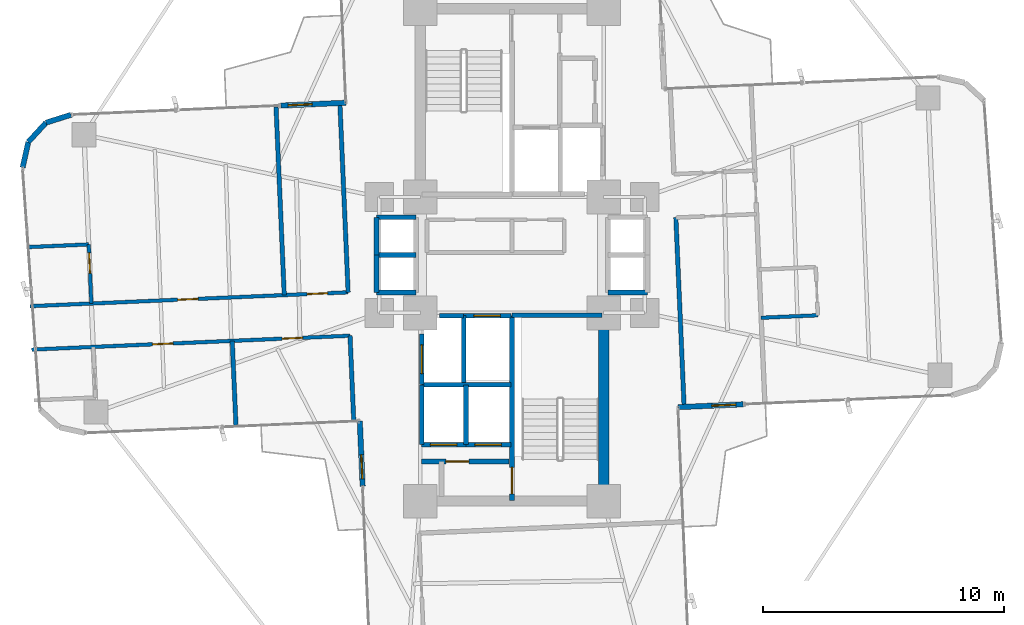
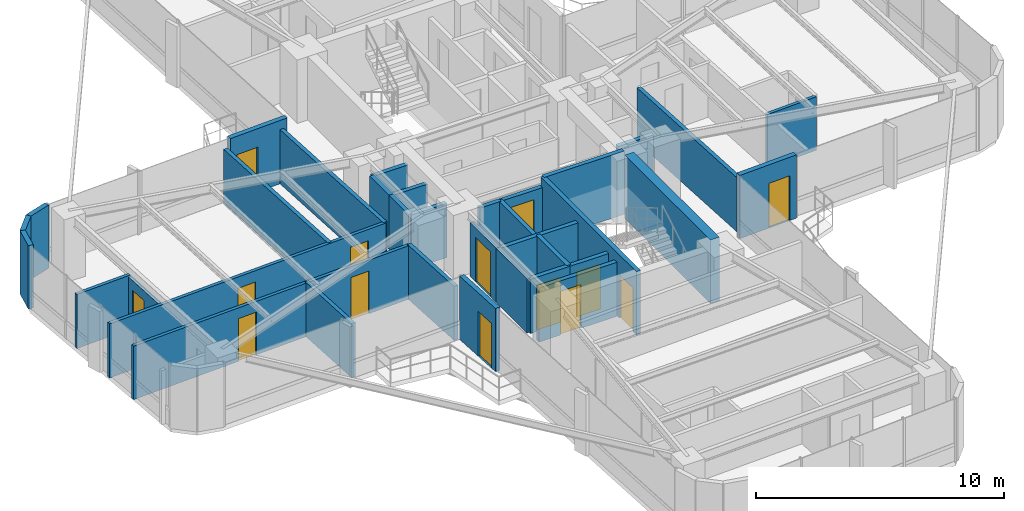
# One storey, part 23 of 26: 35 walls, 14 doors, 14 openings.
"""IFC4 building model written with IfcOpenShell, lengths in metres."""

from ifc_helpers import new_model, si_unit, direction, frame, frame_2d, origin, origin_2d, place, context, subcontext, project, spatial, rectangle, extrude, source, transform, mapped, material, layer, layer_set, type_object, element, fill, save


model = new_model("IFC4")

# Units and contexts
model_context = context("Model", 3, precision=1e-05, world=origin(), true_north=direction((0.0, 1.0)))
body_context = subcontext(model_context, "Body", "Model", "MODEL_VIEW")
ifc_project = project(units=[si_unit("LENGTHUNIT", "METRE"), si_unit("AREAUNIT", "SQUARE_METRE"), si_unit("VOLUMEUNIT", "CUBIC_METRE"), si_unit("PLANEANGLEUNIT", "RADIAN"), si_unit("MASSUNIT", "GRAM", prefix="KILO")], contexts=[model_context])

# Site, building, storey
site_placement = place(None, origin())
site = spatial("IfcSite", under=ifc_project, at=site_placement, CompositionType="ELEMENT")
building_placement = place(site_placement, origin())
building = spatial("IfcBuilding", under=site, at=building_placement, Name="Sahyath Konkavel Grand Hotel", CompositionType="ELEMENT")
storey_placement = place(building_placement, frame((0.0, 0.0, 86.85009765625)))
storey = spatial("IfcBuildingStorey", under=building, at=storey_placement, Name="L23", CompositionType="ELEMENT", Elevation=86.85009765625)

# Wall
ifc_material_1 = material(Name="Concrete C50/60", Category="concrete")
ifc_layer_1 = layer(ifc_material_1, 0.419921875)
ifc_layer_set_1 = layer_set([ifc_layer_1], Name="Concrete C50/60")
wall_type_1 = type_object("IfcWallType", Name="CWALL-420", PredefinedType="SHEAR", material=ifc_layer_set_1)
wall_1_placement = place(storey_placement, frame((3.800048828125, -9.75, 0.0), z_axis=(0.0, 0.0, 1.0), x_axis=(0.0, 1.0, 0.0)))
element("IfcWall", 1, at=wall_1_placement, inside=storey, type_object=wall_type_1, Name="L23 South Core Shear Wall E", PredefinedType="SHEAR", context=body_context, shape_type="SweptSolid", body=[
    extrude(rectangle(XDim=6.89990234375, YDim=0.419921875, at=frame_2d((3.449951171875, 0.0))), origin(), (0.0, 0.0, 1.0), 3.10986328125),
])

# Wall, opening, door
ifc_material_2 = material(Name="Warm Buff Sandstone Insulated Concrete C40/50", Category="masonry")
ifc_layer_2 = layer(ifc_material_2, 0.219970703125)
ifc_layer_set_2 = layer_set([ifc_layer_2], Name="Warm Buff Sandstone Insulated Concrete C40/50")
wall_type_2 = type_object("IfcWallType", Name="WLL-BALC-THRESH", PredefinedType="STANDARD", material=ifc_layer_set_2)
wall_2_placement = place(storey_placement, frame((6.881591796875, -6.305908203125, 0.0), z_axis=(0.0, 0.0, 1.0), x_axis=(0.999045894436, 0.043672655174, 0.0)))
wall_2 = element("IfcWall", 2, at=wall_2_placement, inside=storey, type_object=wall_type_2, Name="L23 Winter-Garden Threshold Wall 0", PredefinedType="STANDARD", context=body_context, shape_type="SweptSolid", body=[
    extrude(rectangle(XDim=2.7001953125, YDim=0.219970703125, at=frame_2d((1.35009765625, 0.0))), origin(), (0.0, 0.0, 1.0), 3.10986328125),
])
opening_1_placement = place(wall_2_placement, frame((1.39990234375, 0.0, 0.0)))
opening_1 = element("IfcOpeningElement", 3, at=opening_1_placement, cuts=wall_2, Name="Opening D-TR1", PredefinedType="OPENING", context=body_context, shape_type="SweptSolid", body=[
    extrude(rectangle(XDim=1.0, YDim=2.199951171875, at=frame_2d((0.5, 1.10009765625))), frame((0.0, 0.1201171875, 0.0), z_axis=(0.0, -1.0, 0.0), x_axis=(1.0, 0.0, 0.0)), (0.0, 0.0, 1.0), 0.239990234375),
])
ifc_material_3 = material(Name="Anodised Bronze Aluminium & Low-E Glazing", Category="aluminium")
door_type_1 = type_object("IfcDoorType", Name="DR-TERRACE-1000", OperationType="NOTDEFINED", PredefinedType="DOOR", material=ifc_material_3)
shared_shape_1 = source(origin(), body_context, "Body", "SweptSolid", [
    extrude(rectangle(XDim=1.0, YDim=0.050048828125, at=origin_2d()), origin(), (0.0, 0.0, 1.0), 2.199951171875),
])
door_1_placement = place(opening_1_placement, frame((0.5, 0.0, 0.0)))
door_1 = element("IfcDoor", 4, at=door_1_placement, inside=storey, type_object=door_type_1, Name="L23 Winter-Garden Terrace Door 0", OperationType="SINGLE_SWING_LEFT", OverallHeight=2.199951171875, OverallWidth=1.0, PredefinedType="DOOR", context=body_context, shape_type="MappedRepresentation", body=[
    mapped(shared_shape_1, transform((0.0, 0.0, 0.0), scale=1.0)),
])
fill(opening_1, door_1)

wall_3_placement = place(storey_placement, frame((-6.881591796875, 6.305908203125, 0.0), z_axis=(0.0, 0.0, 1.0), x_axis=(-0.999045894436, -0.043672655174, 0.0)))
wall_3 = element("IfcWall", 5, at=wall_3_placement, inside=storey, type_object=wall_type_2, Name="L23 Winter-Garden Threshold Wall 16", PredefinedType="STANDARD", context=body_context, shape_type="SweptSolid", body=[
    extrude(rectangle(XDim=2.7001953125, YDim=0.219970703125, at=frame_2d((1.35009765625, 0.0))), origin(), (0.0, 0.0, 1.0), 3.10986328125),
])
opening_2_placement = place(wall_3_placement, frame((1.39990234375, 0.0, 0.0)))
opening_2 = element("IfcOpeningElement", 6, at=opening_2_placement, cuts=wall_3, Name="Opening D-TR1", PredefinedType="OPENING", context=body_context, shape_type="SweptSolid", body=[
    extrude(rectangle(XDim=1.0, YDim=2.199951171875, at=frame_2d((0.5, 1.10009765625))), frame((0.0, 0.1201171875, 0.0), z_axis=(0.0, -1.0, 0.0), x_axis=(1.0, 0.0, 0.0)), (0.0, 0.0, 1.0), 0.239990234375),
])
door_2_placement = place(opening_2_placement, frame((0.5, 0.0, 0.0)))
door_2 = element("IfcDoor", 7, at=door_2_placement, inside=storey, type_object=door_type_1, Name="L23 Winter-Garden Terrace Door 16", OperationType="SINGLE_SWING_LEFT", OverallHeight=2.199951171875, OverallWidth=1.0, PredefinedType="DOOR", context=body_context, shape_type="MappedRepresentation", body=[
    mapped(shared_shape_1, transform((0.0, 0.0, 0.0), scale=1.0)),
])
fill(opening_2, door_2)

# Walls
for number, where, z_axis, x_axis, name in (
    (8, (-18.270751953125, 5.80859375, 0.0), (0.0, 0.0, 1.0), (-0.953721713582, -0.30069069331, 0.0), "L23 Rounded Corner Sandstone Pier 17"),
    (9, (-19.3076171875, 5.481689453125, 0.0), (0.0, 0.0, 1.0), (-0.675551721847, -0.737312600672, 0.0), "L23 Rounded Corner Sandstone Pier 18"),
):
    element("IfcWall", number, at=place(storey_placement, frame(where, z_axis=z_axis, x_axis=x_axis)), inside=storey, type_object=wall_type_2, Name=name, PredefinedType="STANDARD", context=body_context, shape_type="SweptSolid", body=[
        extrude(rectangle(XDim=1.087158203125, YDim=0.219970703125, at=frame_2d((0.54345703125, 0.0))), origin(), (0.0, 0.0, 1.0), 3.10986328125),
    ])
wall_4_placement = place(storey_placement, frame((-20.0419921875, 4.68017578125, 0.0), z_axis=(0.0, 0.0, 1.0), x_axis=(-0.216288323511, -0.976329535102, 0.0)))
element("IfcWall", 10, at=wall_4_placement, inside=storey, type_object=wall_type_2, Name="L23 Rounded Corner Sandstone Pier 19", PredefinedType="STANDARD", context=body_context, shape_type="SweptSolid", body=[
    extrude(rectangle(XDim=1.0869140625, YDim=0.219970703125, at=frame_2d((0.54345703125, 0.0))), origin(), (0.0, 0.0, 1.0), 3.10986328125),
])

# Wall, opening, door
wall_5_placement = place(storey_placement, frame((-6.305908203125, -6.881591796875, 0.0), z_axis=(0.0, 0.0, 1.0), x_axis=(0.043672655174, -0.999045894436, 0.0)))
wall_5 = element("IfcWall", 11, at=wall_5_placement, inside=storey, type_object=wall_type_2, Name="L23 Winter-Garden Threshold Wall 24", PredefinedType="STANDARD", context=body_context, shape_type="SweptSolid", body=[
    extrude(rectangle(XDim=2.7001953125, YDim=0.219970703125, at=frame_2d((1.35009765625, 0.0))), origin(), (0.0, 0.0, 1.0), 3.10986328125),
])
opening_3_placement = place(wall_5_placement, frame((1.39990234375, 0.0, 0.0)))
opening_3 = element("IfcOpeningElement", 12, at=opening_3_placement, cuts=wall_5, Name="Opening D-TR1", PredefinedType="OPENING", context=body_context, shape_type="SweptSolid", body=[
    extrude(rectangle(XDim=1.0, YDim=2.199951171875, at=frame_2d((0.5, 1.10009765625))), frame((0.0, 0.1201171875, 0.0), z_axis=(0.0, -1.0, 0.0), x_axis=(1.0, 0.0, 0.0)), (0.0, 0.0, 1.0), 0.239990234375),
])
door_3_placement = place(opening_3_placement, frame((0.5, 0.0, 0.0)))
door_3 = element("IfcDoor", 13, at=door_3_placement, inside=storey, type_object=door_type_1, Name="L23 Winter-Garden Terrace Door 24", OperationType="SINGLE_SWING_LEFT", OverallHeight=2.199951171875, OverallWidth=1.0, PredefinedType="DOOR", context=body_context, shape_type="MappedRepresentation", body=[
    mapped(shared_shape_1, transform((0.0, 0.0, 0.0), scale=1.0)),
])
fill(opening_3, door_3)

ifc_material_4 = material(Name="Concrete C40/50", Category="concrete")
ifc_layer_3 = layer(ifc_material_4, 0.199951171875)
ifc_layer_set_3 = layer_set([ifc_layer_3], Name="Concrete C40/50")
wall_type_3 = type_object("IfcWallType", Name="WLL-CORE-200", PredefinedType="SOLIDWALL", material=ifc_layer_set_3)
wall_6_placement = place(storey_placement, frame((0.0, -10.179931640625, 0.0), z_axis=(0.0, 0.0, 1.0), x_axis=(0.0, 1.0, 0.0)))
wall_6 = element("IfcWall", 14, at=wall_6_placement, inside=storey, type_object=wall_type_3, Name="L23 Stair ST-2 Shaft Wall W", PredefinedType="SOLIDWALL", context=body_context, shape_type="SweptSolid", body=[
    extrude(rectangle(XDim=7.679931640625, YDim=0.199951171875, at=frame_2d((3.83984375, 0.0))), origin(), (0.0, 0.0, 1.0), 3.10986328125),
])
opening_4_placement = place(wall_6_placement, frame((0.280029296875, 0.0, 0.0)))
opening_4 = element("IfcOpeningElement", 15, at=opening_4_placement, cuts=wall_6, Name="Opening D-F12B", PredefinedType="OPENING", context=body_context, shape_type="SweptSolid", body=[
    extrude(rectangle(XDim=1.10009765625, YDim=2.14990234375, at=frame_2d((0.550048828125, 1.074951171875))), frame((0.0, 0.10986328125, 0.0), z_axis=(0.0, -1.0, 0.0), x_axis=(1.0, 0.0, 0.0)), (0.0, 0.0, 1.0), 0.219970703125),
])
ifc_material_5 = material(Name="Steel E350 Smokeproof Fire Door", Category="steel")
door_type_2 = type_object("IfcDoorType", Name="DR-FD120-1100", OperationType="NOTDEFINED", PredefinedType="DOOR", material=ifc_material_5)
shared_shape_2 = source(origin(), body_context, "Body", "SweptSolid", [
    extrude(rectangle(XDim=1.10009765625, YDim=0.050048828125, at=origin_2d()), origin(), (0.0, 0.0, 1.0), 2.14990234375),
])
door_4_placement = place(opening_4_placement, frame((0.550048828125, 0.0, 0.0)))
door_4 = element("IfcDoor", 16, at=door_4_placement, inside=storey, type_object=door_type_2, Name="L23 Stair ST-2 Fire Door", OperationType="SINGLE_SWING_RIGHT", OverallHeight=2.14990234375, OverallWidth=1.10009765625, PredefinedType="DOOR", context=body_context, shape_type="MappedRepresentation", body=[
    mapped(shared_shape_2, transform((0.0, 0.0, 0.0), scale=1.0)),
])
fill(opening_4, door_4)

# Walls
wall_7_placement = place(storey_placement, frame((0.0, -2.5, 0.0), z_axis=(0.0, 0.0, 1.0), x_axis=(1.0, 0.0, 0.0)))
element("IfcWall", 17, at=wall_7_placement, inside=storey, type_object=wall_type_3, Name="L23 Stair ST-2 Shaft Wall N", PredefinedType="SOLIDWALL", context=body_context, shape_type="SweptSolid", body=[
    extrude(rectangle(XDim=3.719970703125, YDim=0.199951171875, at=frame_2d((1.85986328125, 0.0))), origin(), (0.0, 0.0, 1.0), 3.10986328125),
])
wall_8_placement = place(storey_placement, frame((-2.0, -5.280029296875, 0.0), z_axis=(0.0, 0.0, 1.0), x_axis=(0.0, 1.0, 0.0)))
element("IfcWall", 18, at=wall_8_placement, inside=storey, type_object=wall_type_3, Name="L23 Partition SH-FFL2-W", PredefinedType="SOLIDWALL", context=body_context, shape_type="SweptSolid", body=[
    extrude(rectangle(XDim=2.780029296875, YDim=0.199951171875, at=frame_2d((1.39013671875, 0.0))), origin(), (0.0, 0.0, 1.0), 2.659912109375),
])

# Wall, opening, door
wall_9_placement = place(storey_placement, frame((-2.0, -2.52001953125, 0.0), z_axis=(0.0, 0.0, 1.0), x_axis=(1.0, 0.0, 0.0)))
wall_9 = element("IfcWall", 19, at=wall_9_placement, inside=storey, type_object=wall_type_3, Name="L23 Partition SH-FFL2-N", PredefinedType="SOLIDWALL", context=body_context, shape_type="SweptSolid", body=[
    extrude(rectangle(XDim=1.949951171875, YDim=0.199951171875, at=frame_2d((0.97509765625, 0.0))), origin(), (0.0, 0.0, 1.0), 2.659912109375),
])
opening_5_placement = place(wall_9_placement, frame((0.419921875, 0.0, 0.0)))
opening_5 = element("IfcOpeningElement", 20, at=opening_5_placement, cuts=wall_9, Name="Opening LD-11", PredefinedType="OPENING", context=body_context, shape_type="SweptSolid", body=[
    extrude(rectangle(XDim=1.10009765625, YDim=2.199951171875, at=frame_2d((0.550048828125, 1.10009765625))), frame((0.0, 0.10986328125, 0.0), z_axis=(0.0, -1.0, 0.0), x_axis=(1.0, 0.0, 0.0)), (0.0, 0.0, 1.0), 0.219970703125),
])
ifc_material_6 = material(Name="Bronze Lift Landing Door 1100")
door_type_3 = type_object("IfcDoorType", Name="DR-LIFT-1100", OperationType="DOUBLE_DOOR_SLIDING", PredefinedType="DOOR", material=ifc_material_6)
shared_shape_3 = source(origin(), body_context, "Body", "SweptSolid", [
    extrude(rectangle(XDim=1.10009765625, YDim=0.050048828125, at=origin_2d()), origin(), (0.0, 0.0, 1.0), 2.199951171875),
])
door_5_placement = place(opening_5_placement, frame((0.550048828125, 0.0, 0.0)))
door_5 = element("IfcDoor", 21, at=door_5_placement, inside=storey, type_object=door_type_3, Name="L23 Lift FFL-2 Landing Door", OperationType="DOUBLE_DOOR_SLIDING", OverallHeight=2.199951171875, OverallWidth=1.10009765625, PredefinedType="DOOR", context=body_context, shape_type="MappedRepresentation", body=[
    mapped(shared_shape_3, transform((0.0, 0.0, 0.0), scale=1.0)),
])
fill(opening_5, door_5)

# Wall
wall_10_placement = place(storey_placement, frame((-3.0, -2.52001953125, 0.0), z_axis=(0.0, 0.0, 1.0), x_axis=(1.0, 0.0, 0.0)))
element("IfcWall", 22, at=wall_10_placement, inside=storey, type_object=wall_type_3, Name="L23 Partition SH-SVL2-N", PredefinedType="SOLIDWALL", context=body_context, shape_type="SweptSolid", body=[
    extrude(rectangle(XDim=1.0, YDim=0.199951171875, at=frame_2d((0.5, 0.0))), origin(), (0.0, 0.0, 1.0), 2.659912109375),
])

# Wall, opening, door
wall_11_placement = place(storey_placement, frame((-3.739990234375, -5.360107421875, 0.0), z_axis=(0.0, 0.0, 1.0), x_axis=(0.0, 1.0, 0.0)))
wall_11 = element("IfcWall", 23, at=wall_11_placement, inside=storey, type_object=wall_type_3, Name="L23 Partition SH-SVL2-W", PredefinedType="SOLIDWALL", context=body_context, shape_type="SweptSolid", body=[
    extrude(rectangle(XDim=2.080078125, YDim=0.199951171875, at=frame_2d((1.0400390625, 0.0))), origin(), (0.0, 0.0, 1.0), 2.659912109375),
])
opening_6_placement = place(wall_11_placement, frame((0.43994140625, 0.0, 0.0)))
opening_6 = element("IfcOpeningElement", 24, at=opening_6_placement, cuts=wall_11, Name="Opening LD-12", PredefinedType="OPENING", context=body_context, shape_type="SweptSolid", body=[
    extrude(rectangle(XDim=1.199951171875, YDim=2.199951171875, at=frame_2d((0.60009765625, 1.10009765625))), frame((0.0, 0.10986328125, 0.0), z_axis=(0.0, -1.0, 0.0), x_axis=(1.0, 0.0, 0.0)), (0.0, 0.0, 1.0), 0.219970703125),
])
ifc_material_7 = material(Name="Stainless Steel Lift Landing Door 1200", Category="steel")
door_type_4 = type_object("IfcDoorType", Name="DR-LIFT-1200", OperationType="DOUBLE_DOOR_SLIDING", PredefinedType="DOOR", material=ifc_material_7)
shared_shape_4 = source(origin(), body_context, "Body", "SweptSolid", [
    extrude(rectangle(XDim=1.199951171875, YDim=0.050048828125, at=origin_2d()), origin(), (0.0, 0.0, 1.0), 2.199951171875),
])
door_6_placement = place(opening_6_placement, frame((0.60009765625, 0.0, 0.0)))
door_6 = element("IfcDoor", 25, at=door_6_placement, inside=storey, type_object=door_type_4, Name="L23 Service Lift SVL-2 Landing Door", OperationType="DOUBLE_DOOR_SLIDING", OverallHeight=2.199951171875, OverallWidth=1.199951171875, PredefinedType="DOOR", context=body_context, shape_type="MappedRepresentation", body=[
    mapped(shared_shape_4, transform((0.0, 0.0, 0.0), scale=1.0)),
])
fill(opening_6, door_6)

# Wall
wall_12_placement = place(storey_placement, frame((-3.739990234375, -7.860107421875, 0.0), z_axis=(0.0, 0.0, 1.0), x_axis=(0.0, 1.0, 0.0)))
element("IfcWall", 26, at=wall_12_placement, inside=storey, type_object=wall_type_3, Name="L23 Partition SH-PL3-W", PredefinedType="SOLIDWALL", context=body_context, shape_type="SweptSolid", body=[
    extrude(rectangle(XDim=2.480224609375, YDim=0.199951171875, at=frame_2d((1.240234375, 0.0))), origin(), (0.0, 0.0, 1.0), 2.659912109375),
])

# Wall, opening, door
wall_13_placement = place(storey_placement, frame((-3.739990234375, -7.860107421875, 0.0), z_axis=(0.0, 0.0, 1.0), x_axis=(1.0, 0.0, 0.0)))
wall_13 = element("IfcWall", 27, at=wall_13_placement, inside=storey, type_object=wall_type_3, Name="L23 Partition SH-PL3-S", PredefinedType="SOLIDWALL", context=body_context, shape_type="SweptSolid", body=[
    extrude(rectangle(XDim=1.840087890625, YDim=0.199951171875, at=frame_2d((0.919921875, 0.0))), origin(), (0.0, 0.0, 1.0), 2.659912109375),
])
opening_7_placement = place(wall_13_placement, frame((0.360107421875, 0.0, 0.0)))
opening_7 = element("IfcOpeningElement", 28, at=opening_7_placement, cuts=wall_13, Name="Opening LD-11", PredefinedType="OPENING", context=body_context, shape_type="SweptSolid", body=[
    extrude(rectangle(XDim=1.10009765625, YDim=2.199951171875, at=frame_2d((0.550048828125, 1.10009765625))), frame((0.0, 0.10986328125, 0.0), z_axis=(0.0, -1.0, 0.0), x_axis=(1.0, 0.0, 0.0)), (0.0, 0.0, 1.0), 0.219970703125),
])
door_7_placement = place(opening_7_placement, frame((0.550048828125, 0.0, 0.0)))
door_7 = element("IfcDoor", 29, at=door_7_placement, inside=storey, type_object=door_type_3, Name="L23 Passenger Lift PL-3 Landing Door", OperationType="DOUBLE_DOOR_SLIDING", OverallHeight=2.199951171875, OverallWidth=1.10009765625, PredefinedType="DOOR", context=body_context, shape_type="MappedRepresentation", body=[
    mapped(shared_shape_3, transform((0.0, 0.0, 0.0), scale=1.0)),
])
fill(opening_7, door_7)

# Walls
wall_14_placement = place(storey_placement, frame((-3.739990234375, -5.3798828125, 0.0), z_axis=(0.0, 0.0, 1.0), x_axis=(1.0, 0.0, 0.0)))
element("IfcWall", 30, at=wall_14_placement, inside=storey, type_object=wall_type_3, Name="L23 Partition SH-PL34-N", PredefinedType="SOLIDWALL", context=body_context, shape_type="SweptSolid", body=[
    extrude(rectangle(XDim=3.68994140625, YDim=0.199951171875, at=frame_2d((1.844970703125, 0.0))), origin(), (0.0, 0.0, 1.0), 2.659912109375),
])
wall_15_placement = place(storey_placement, frame((-1.89990234375, -7.860107421875, 0.0), z_axis=(0.0, 0.0, 1.0), x_axis=(0.0, 1.0, 0.0)))
element("IfcWall", 31, at=wall_15_placement, inside=storey, type_object=wall_type_3, Name="L23 Partition SH-PL34-M", PredefinedType="SOLIDWALL", context=body_context, shape_type="SweptSolid", body=[
    extrude(rectangle(XDim=2.480224609375, YDim=0.199951171875, at=frame_2d((1.240234375, 0.0))), origin(), (0.0, 0.0, 1.0), 2.659912109375),
])

# Wall, opening, door
wall_16_placement = place(storey_placement, frame((-1.89990234375, -7.860107421875, 0.0), z_axis=(0.0, 0.0, 1.0), x_axis=(1.0, 0.0, 0.0)))
wall_16 = element("IfcWall", 32, at=wall_16_placement, inside=storey, type_object=wall_type_3, Name="L23 Partition SH-PL4-S", PredefinedType="SOLIDWALL", context=body_context, shape_type="SweptSolid", body=[
    extrude(rectangle(XDim=1.849853515625, YDim=0.199951171875, at=frame_2d((0.9248046875, 0.0))), origin(), (0.0, 0.0, 1.0), 2.659912109375),
])
opening_8_placement = place(wall_16_placement, frame((0.360107421875, 0.0, 0.0)))
opening_8 = element("IfcOpeningElement", 33, at=opening_8_placement, cuts=wall_16, Name="Opening LD-11", PredefinedType="OPENING", context=body_context, shape_type="SweptSolid", body=[
    extrude(rectangle(XDim=1.10009765625, YDim=2.199951171875, at=frame_2d((0.550048828125, 1.10009765625))), frame((0.0, 0.10986328125, 0.0), z_axis=(0.0, -1.0, 0.0), x_axis=(1.0, 0.0, 0.0)), (0.0, 0.0, 1.0), 0.219970703125),
])
door_8_placement = place(opening_8_placement, frame((0.550048828125, 0.0, 0.0)))
door_8 = element("IfcDoor", 34, at=door_8_placement, inside=storey, type_object=door_type_3, Name="L23 Passenger Lift PL-4 Landing Door", OperationType="DOUBLE_DOOR_SLIDING", OverallHeight=2.199951171875, OverallWidth=1.10009765625, PredefinedType="DOOR", context=body_context, shape_type="MappedRepresentation", body=[
    mapped(shared_shape_3, transform((0.0, 0.0, 0.0), scale=1.0)),
])
fill(opening_8, door_8)

# Walls
for number, where, z_axis, x_axis, name in (
    (35, (3.97998046875, -1.56005859375, 0.0), (0.0, 0.0, 1.0), (1.0, 0.0, 0.0), "L23 Partition SH-PL56-S"),
    (36, (-5.6201171875, 1.56005859375, 0.0), (0.0, 0.0, 1.0), (1.0, 0.0, 0.0), "L23 Partition SH-SL12-N"),
    (37, (-5.6201171875, -1.56005859375, 0.0), (0.0, 0.0, 1.0), (1.0, 0.0, 0.0), "L23 Partition SH-SL12-S"),
    (38, (-5.6201171875, 0.0, 0.0), (0.0, 0.0, 1.0), (1.0, 0.0, 0.0), "L23 Partition SH-SL12-M"),
):
    element("IfcWall", number, at=place(storey_placement, frame(where, z_axis=z_axis, x_axis=x_axis)), inside=storey, type_object=wall_type_3, Name=name, PredefinedType="SOLIDWALL", context=body_context, shape_type="SweptSolid", body=[
        extrude(rectangle(XDim=1.64013671875, YDim=0.199951171875, at=frame_2d((0.820068359375, 0.0))), origin(), (0.0, 0.0, 1.0), 2.659912109375),
    ])
for number, where, z_axis, x_axis, name in (
    (39, (-5.6201171875, 0.0, 0.0), (0.0, 0.0, 1.0), (0.0, 1.0, 0.0), "L23 Partition SH-SL1-W"),
    (40, (-5.6201171875, -1.56005859375, 0.0), (0.0, 0.0, 1.0), (0.0, 1.0, 0.0), "L23 Partition SH-SL2-W"),
):
    element("IfcWall", number, at=place(storey_placement, frame(where, z_axis=z_axis, x_axis=x_axis)), inside=storey, type_object=wall_type_3, Name=name, PredefinedType="SOLIDWALL", context=body_context, shape_type="SweptSolid", body=[
        extrude(rectangle(XDim=1.56005859375, YDim=0.199951171875, at=frame_2d((0.780029296875, 0.0))), origin(), (0.0, 0.0, 1.0), 2.659912109375),
    ])

# Wall, opening, door
wall_17_placement = place(storey_placement, frame((-3.739990234375, -8.56005859375, 0.0), z_axis=(0.0, 0.0, 1.0), x_axis=(1.0, 0.0, 0.0)))
wall_17 = element("IfcWall", 41, at=wall_17_placement, inside=storey, type_object=wall_type_3, Name="L23 South FF Lobby Separation Wall", PredefinedType="SOLIDWALL", context=body_context, shape_type="SweptSolid", body=[
    extrude(rectangle(XDim=3.619873046875, YDim=0.199951171875, at=frame_2d((1.81005859375, 0.0))), origin(), (0.0, 0.0, 1.0), 2.659912109375),
])
opening_9_placement = place(wall_17_placement, frame((1.0, 0.0, 0.0)))
opening_9 = element("IfcOpeningElement", 42, at=opening_9_placement, cuts=wall_17, Name="Opening D-F12C", PredefinedType="OPENING", context=body_context, shape_type="SweptSolid", body=[
    extrude(rectangle(XDim=0.949951171875, YDim=2.14990234375, at=frame_2d((0.47509765625, 1.074951171875))), frame((0.0, 0.10986328125, 0.0), z_axis=(0.0, -1.0, 0.0), x_axis=(1.0, 0.0, 0.0)), (0.0, 0.0, 1.0), 0.219970703125),
])
ifc_material_8 = material(Name="Steel E350 Plant Fire Door", Category="steel")
door_type_5 = type_object("IfcDoorType", Name="DR-FD120-950", OperationType="NOTDEFINED", PredefinedType="DOOR", material=ifc_material_8)
shared_shape_5 = source(origin(), body_context, "Body", "SweptSolid", [
    extrude(rectangle(XDim=0.949951171875, YDim=0.050048828125, at=origin_2d()), origin(), (0.0, 0.0, 1.0), 2.14990234375),
])
door_9_placement = place(opening_9_placement, frame((0.47509765625, 0.0, 0.0)))
door_9 = element("IfcDoor", 43, at=door_9_placement, inside=storey, type_object=door_type_5, Name="L23 South Firefighting Lobby Door", OperationType="SINGLE_SWING_LEFT", OverallHeight=2.14990234375, OverallWidth=0.949951171875, PredefinedType="DOOR", context=body_context, shape_type="MappedRepresentation", body=[
    mapped(shared_shape_5, transform((0.0, 0.0, 0.0), scale=1.0)),
])
fill(opening_9, door_9)

# Walls
ifc_material_9 = material(Name="Twin-Stud Acoustic Gypsum Plasterboard Partition")
ifc_layer_4 = layer(ifc_material_9, 0.179931640625)
ifc_layer_set_4 = layer_set([ifc_layer_4], Name="Twin-Stud Acoustic Gypsum Plasterboard Partition")
wall_type_4 = type_object("IfcWallType", Name="WLL-DEMISE-180", PredefinedType="PARTITIONING", material=ifc_layer_set_4)
wall_18_placement = place(storey_placement, frame((7.129150390625, -6.2451171875, 0.0), z_axis=(0.0, 0.0, 1.0), x_axis=(-0.043600217373, 0.999049058378, 0.0)))
element("IfcWall", 44, at=wall_18_placement, inside=storey, type_object=wall_type_4, Name="L23 Partition E-INR", PredefinedType="PARTITIONING", context=body_context, shape_type="SweptSolid", body=[
    extrude(rectangle(XDim=7.800048828125, YDim=0.179931640625, at=frame_2d((3.89990234375, 0.0))), origin(), (0.0, 0.0, 1.0), 2.659912109375),
])
wall_19_placement = place(storey_placement, frame((-6.71044921875, -3.345947265625, 0.0), z_axis=(0.0, 0.0, 1.0), x_axis=(0.043597663116, -0.999049169846, 0.0)))
element("IfcWall", 45, at=wall_19_placement, inside=storey, type_object=wall_type_4, Name="L23 Partition W-INL", PredefinedType="PARTITIONING", context=body_context, shape_type="SweptSolid", body=[
    extrude(rectangle(XDim=3.5, YDim=0.179931640625, at=frame_2d((1.75, 0.0))), origin(), (0.0, 0.0, 1.0), 2.659912109375),
])
wall_20_placement = place(storey_placement, frame((-7.129150390625, 6.2451171875, 0.0), z_axis=(0.0, 0.0, 1.0), x_axis=(0.043600217373, -0.999049058378, 0.0)))
element("IfcWall", 46, at=wall_20_placement, inside=storey, type_object=wall_type_4, Name="L23 Partition W-INR", PredefinedType="PARTITIONING", context=body_context, shape_type="SweptSolid", body=[
    extrude(rectangle(XDim=7.800048828125, YDim=0.179931640625, at=frame_2d((3.89990234375, 0.0))), origin(), (0.0, 0.0, 1.0), 2.659912109375),
])
wall_21_placement = place(storey_placement, frame((-11.58984375, -3.558837890625, 0.0), z_axis=(0.0, 0.0, 1.0), x_axis=(0.04366424353, -0.99904626211, 0.0)))
element("IfcWall", 47, at=wall_21_placement, inside=storey, type_object=wall_type_4, Name="L23 Partition W-W1L-DEM", PredefinedType="PARTITIONING", context=body_context, shape_type="SweptSolid", body=[
    extrude(rectangle(XDim=3.500244140625, YDim=0.179931640625, at=frame_2d((1.75, 0.0))), origin(), (0.0, 0.0, 1.0), 2.659912109375),
])
wall_22_placement = place(storey_placement, frame((-9.436279296875, -1.6630859375, 0.0), z_axis=(0.0, 0.0, 1.0), x_axis=(-0.043632821702, 0.999047634936, 0.0)))
element("IfcWall", 48, at=wall_22_placement, inside=storey, type_object=wall_type_4, Name="L23 Partition W-WHK-DEM", PredefinedType="PARTITIONING", context=body_context, shape_type="SweptSolid", body=[
    extrude(rectangle(XDim=7.7998046875, YDim=0.179931640625, at=frame_2d((3.89990234375, 0.0))), origin(), (0.0, 0.0, 1.0), 2.659912109375),
])
ifc_material_10 = material(Name="Fire-Rated Gypsum Plasterboard Partition")
ifc_layer_5 = layer(ifc_material_10, 0.14990234375)
ifc_layer_set_5 = layer_set([ifc_layer_5], Name="Fire-Rated Gypsum Plasterboard Partition")
wall_type_5 = type_object("IfcWallType", Name="WLL-PART-150", PredefinedType="PARTITIONING", material=ifc_layer_set_5)
wall_23_placement = place(storey_placement, frame((10.3232421875, -2.602294921875, 0.0), z_axis=(0.0, 0.0, 1.0), x_axis=(0.999047711264, 0.043631074008, 0.0)))
element("IfcWall", 49, at=wall_23_placement, inside=storey, type_object=wall_type_5, Name="L23 Partition E-ETIP-BS", PredefinedType="PARTITIONING", context=body_context, shape_type="SweptSolid", body=[
    extrude(rectangle(XDim=2.35009765625, YDim=0.14990234375, at=frame_2d((1.175048828125, 0.0))), origin(), (0.0, 0.0, 1.0), 2.6298828125),
])

# Wall, openings, doors
wall_24_placement = place(storey_placement, frame((-6.71044921875, -3.345947265625, 0.0), z_axis=(0.0, 0.0, 1.0), x_axis=(-0.999048535483, -0.04361219725, 0.0)))
wall_24 = element("IfcWall", 50, at=wall_24_placement, inside=storey, type_object=wall_type_5, Name="L23 Partition W-CL", PredefinedType="PARTITIONING", context=body_context, shape_type="SweptSolid", body=[
    extrude(rectangle(XDim=13.199951171875, YDim=0.14990234375, at=frame_2d((6.60009765625, 0.0))), origin(), (0.0, 0.0, 1.0), 2.6298828125),
])
opening_10_placement = place(wall_24_placement, frame((1.967041015625, 0.0, 0.0)))
opening_10 = element("IfcOpeningElement", 51, at=opening_10_placement, cuts=wall_24, Name="Opening D-F06D", PredefinedType="OPENING", context=body_context, shape_type="SweptSolid", body=[
    extrude(rectangle(XDim=0.85009765625, YDim=2.10009765625, at=frame_2d((0.425048828125, 1.050048828125))), frame((0.0, 0.0849609375, 0.0), z_axis=(0.0, -1.0, 0.0), x_axis=(1.0, 0.0, 0.0)), (0.0, 0.0, 1.0), 0.169921875),
])
opening_11_placement = place(wall_24_placement, frame((7.342041015625, 0.0, 0.0)))
opening_11 = element("IfcOpeningElement", 52, at=opening_11_placement, cuts=wall_24, Name="Opening D-F06D", PredefinedType="OPENING", context=body_context, shape_type="SweptSolid", body=[
    extrude(rectangle(XDim=0.85009765625, YDim=2.10009765625, at=frame_2d((0.425048828125, 1.050048828125))), frame((0.0, 0.0849609375, 0.0), z_axis=(0.0, -1.0, 0.0), x_axis=(1.0, 0.0, 0.0)), (0.0, 0.0, 1.0), 0.169921875),
])
ifc_material_11 = material(Name="Fire-Rated Shaft Access Door")
door_type_6 = type_object("IfcDoorType", Name="DR-FD60-850", OperationType="NOTDEFINED", PredefinedType="DOOR", material=ifc_material_11)
shared_shape_6 = source(origin(), body_context, "Body", "SweptSolid", [
    extrude(rectangle(XDim=0.85009765625, YDim=0.050048828125, at=origin_2d()), origin(), (0.0, 0.0, 1.0), 2.10009765625),
])
door_10_placement = place(opening_10_placement, frame((0.425048828125, 0.0, 0.0)))
door_10 = element("IfcDoor", 53, at=door_10_placement, inside=storey, type_object=door_type_6, Name="L23 Door W-W1L-D", OperationType="SINGLE_SWING_LEFT", OverallHeight=2.10009765625, OverallWidth=0.85009765625, PredefinedType="DOOR", context=body_context, shape_type="MappedRepresentation", body=[
    mapped(shared_shape_6, transform((0.0, 0.0, 0.0), scale=1.0)),
])
fill(opening_10, door_10)
door_11_placement = place(opening_11_placement, frame((0.425048828125, 0.0, 0.0)))
door_11 = element("IfcDoor", 54, at=door_11_placement, inside=storey, type_object=door_type_6, Name="L23 Door W-W2L-ED", OperationType="SINGLE_SWING_LEFT", OverallHeight=2.10009765625, OverallWidth=0.85009765625, PredefinedType="DOOR", context=body_context, shape_type="MappedRepresentation", body=[
    mapped(shared_shape_6, transform((0.0, 0.0, 0.0), scale=1.0)),
])
fill(opening_11, door_11)

wall_25_placement = place(storey_placement, frame((-6.7890625, -1.547607421875, 0.0), z_axis=(0.0, 0.0, 1.0), x_axis=(-0.999048500303, -0.043613003123, 0.0)))
wall_25 = element("IfcWall", 55, at=wall_25_placement, inside=storey, type_object=wall_type_5, Name="L23 Partition W-CR", PredefinedType="PARTITIONING", context=body_context, shape_type="SweptSolid", body=[
    extrude(rectangle(XDim=13.19970703125, YDim=0.14990234375, at=frame_2d((6.599853515625, 0.0))), origin(), (0.0, 0.0, 1.0), 2.659912109375),
])
opening_12_placement = place(wall_25_placement, frame((0.85009765625, 0.0, 0.0)))
opening_12 = element("IfcOpeningElement", 56, at=opening_12_placement, cuts=wall_25, Name="Opening D-F06D", PredefinedType="OPENING", context=body_context, shape_type="SweptSolid", body=[
    extrude(rectangle(XDim=0.85009765625, YDim=2.10009765625, at=frame_2d((0.425048828125, 1.050048828125))), frame((0.0, 0.0849609375, 0.0), z_axis=(0.0, -1.0, 0.0), x_axis=(1.0, 0.0, 0.0)), (0.0, 0.0, 1.0), 0.169921875),
])
opening_13_placement = place(wall_25_placement, frame((6.22509765625, 0.0, 0.0)))
opening_13 = element("IfcOpeningElement", 57, at=opening_13_placement, cuts=wall_25, Name="Opening D-F06D", PredefinedType="OPENING", context=body_context, shape_type="SweptSolid", body=[
    extrude(rectangle(XDim=0.85009765625, YDim=2.10009765625, at=frame_2d((0.425048828125, 1.050048828125))), frame((0.0, 0.0849609375, 0.0), z_axis=(0.0, -1.0, 0.0), x_axis=(1.0, 0.0, 0.0)), (0.0, 0.0, 1.0), 0.169921875),
])
door_12_placement = place(opening_12_placement, frame((0.425048828125, 0.0, 0.0)))
door_12 = element("IfcDoor", 58, at=door_12_placement, inside=storey, type_object=door_type_6, Name="L23 Door W-WHK-D", OperationType="SINGLE_SWING_RIGHT", OverallHeight=2.10009765625, OverallWidth=0.85009765625, PredefinedType="DOOR", context=body_context, shape_type="MappedRepresentation", body=[
    mapped(shared_shape_6, transform((0.0, 0.0, 0.0), scale=1.0)),
])
fill(opening_12, door_12)
door_13_placement = place(opening_13_placement, frame((0.425048828125, 0.0, 0.0)))
door_13 = element("IfcDoor", 59, at=door_13_placement, inside=storey, type_object=door_type_6, Name="L23 Door W-W2R-ED", OperationType="SINGLE_SWING_RIGHT", OverallHeight=2.10009765625, OverallWidth=0.85009765625, PredefinedType="DOOR", context=body_context, shape_type="MappedRepresentation", body=[
    mapped(shared_shape_6, transform((0.0, 0.0, 0.0), scale=1.0)),
])
fill(opening_13, door_13)

# Wall, opening, door
wall_26_placement = place(storey_placement, frame((-17.4287109375, -2.01220703125, 0.0), z_axis=(0.0, 0.0, 1.0), x_axis=(-0.043644787072, 0.999047112283, 0.0)))
wall_26 = element("IfcWall", 60, at=wall_26_placement, inside=storey, type_object=wall_type_5, Name="L23 Partition W-W2R-BS", PredefinedType="PARTITIONING", context=body_context, shape_type="SweptSolid", body=[
    extrude(rectangle(XDim=2.4501953125, YDim=0.14990234375, at=frame_2d((1.22509765625, 0.0))), origin(), (0.0, 0.0, 1.0), 2.579833984375),
])
opening_14_placement = place(wall_26_placement, frame((1.25, 0.0, 0.0)))
opening_14 = element("IfcOpeningElement", 61, at=opening_14_placement, cuts=wall_26, Name="Opening D-BT85", PredefinedType="OPENING", context=body_context, shape_type="SweptSolid", body=[
    extrude(rectangle(XDim=0.85009765625, YDim=2.10009765625, at=frame_2d((0.425048828125, 1.050048828125))), frame((0.0, 0.0849609375, 0.0), z_axis=(0.0, -1.0, 0.0), x_axis=(1.0, 0.0, 0.0)), (0.0, 0.0, 1.0), 0.169921875),
])
ifc_material_12 = material(Name="Moisture-Resistant Teak Bathroom Door")
door_type_7 = type_object("IfcDoorType", Name="DR-BATH-850", OperationType="NOTDEFINED", PredefinedType="DOOR", material=ifc_material_12)
door_14_placement = place(opening_14_placement, frame((0.425048828125, 0.0, 0.0)))
door_14 = element("IfcDoor", 62, at=door_14_placement, inside=storey, type_object=door_type_7, Name="L23 Door W-W2R-BD", OperationType="SINGLE_SWING_LEFT", OverallHeight=2.10009765625, OverallWidth=0.85009765625, PredefinedType="DOOR", context=body_context, shape_type="MappedRepresentation", body=[
    mapped(shared_shape_6, transform((0.0, 0.0, 0.0), scale=1.0)),
])
fill(opening_14, door_14)

# Wall
wall_27_placement = place(storey_placement, frame((-17.53564453125, 0.435546875, 0.0), z_axis=(0.0, 0.0, 1.0), x_axis=(-0.999046560091, -0.043657425146, 0.0)))
element("IfcWall", 63, at=wall_27_placement, inside=storey, type_object=wall_type_5, Name="L23 Partition W-W2R-BF", PredefinedType="PARTITIONING", context=body_context, shape_type="SweptSolid", body=[
    extrude(rectangle(XDim=2.550048828125, YDim=0.14990234375, at=frame_2d((1.27490234375, 0.0))), origin(), (0.0, 0.0, 1.0), 2.659912109375),
])

save(model, "model.ifc")
